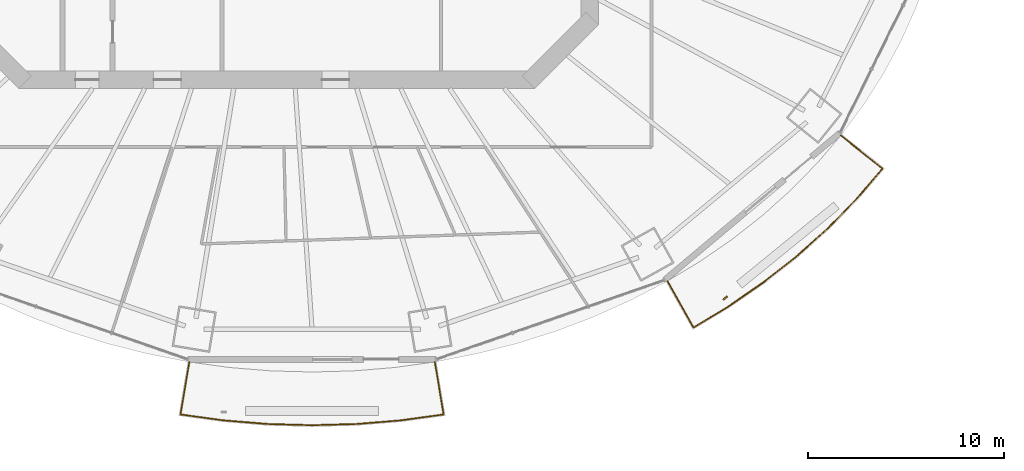
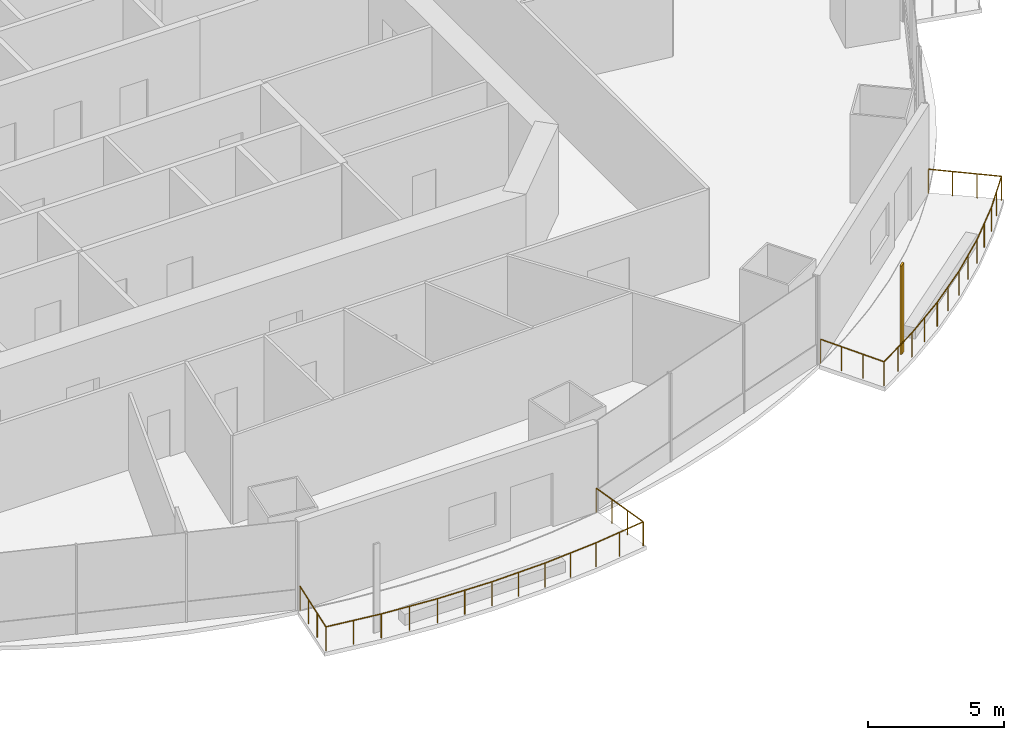
# One storey, part 16 of 20: 2 railings, 1 shading device.
"""IFC4 building model written with IfcOpenShell, lengths in metres."""

from ifc_helpers import new_model, si_unit, direction, frame, origin, origin_2d, place, context, subcontext, project, spatial, rectangle, circle, extrude, material, material_profile, profile_set, type_object, element, save


model = new_model("IFC4")

# Units and contexts
model_context = context("Model", 3, precision=1e-05, world=origin(), true_north=direction((0.0, 1.0)))
body_context = subcontext(model_context, "Body", "Model", "MODEL_VIEW")
ifc_project = project(units=[si_unit("LENGTHUNIT", "METRE"), si_unit("AREAUNIT", "SQUARE_METRE"), si_unit("VOLUMEUNIT", "CUBIC_METRE"), si_unit("PLANEANGLEUNIT", "RADIAN"), si_unit("MASSUNIT", "GRAM", prefix="KILO")], contexts=[model_context])

# Site, building, storey
site_placement = place(None, origin())
site = spatial("IfcSite", under=ifc_project, at=site_placement, CompositionType="ELEMENT")
building_placement = place(site_placement, origin())
building = spatial("IfcBuilding", under=site, at=building_placement, Name="Marenthal Gate Tower", CompositionType="ELEMENT")
storey_placement = place(building_placement, frame((0.0, 0.0, 173.5)))
storey = spatial("IfcBuildingStorey", under=building, at=storey_placement, Name="L37", CompositionType="ELEMENT", Elevation=173.5)

# Railings
ifc_material_1 = material(Name="Stainless steel", Category="steel")
railing_type = type_object("IfcRailingType", Name="Balcony guard 1100", PredefinedType="GUARDRAIL", material=ifc_material_1)
railing_1_placement = place(storey_placement, frame((8.07666015625, -27.433837890625, 0.0)))
element("IfcRailing", 1, at=railing_1_placement, inside=storey, type_object=railing_type, Name="Balcony guard L37 bay 12", PredefinedType="GUARDRAIL", context=body_context, shape_type="SweptSolid", body=[
    extrude(circle(Radius=0.02392578125, at=origin_2d()), frame((0.0, 0.0, 1.076171875), z_axis=(0.164788694753, -0.986219051168, -0.014719687331), x_axis=(0.986325910177, 0.164806549971, 0.0)), (0.0, 0.0, 1.0), 2.72021484375),
    extrude(circle(Radius=0.02392578125, at=origin_2d()), frame((0.4482421875, -2.6826171875, 1.0361328125), z_axis=(-0.990666259572, -0.136309802087, 0.0), x_axis=(0.136309802087, -0.990666259572, 0.0)), (0.0, 0.0, 1.0), 2.194091796875),
    extrude(circle(Radius=0.02392578125, at=origin_2d()), frame((-1.725341796875, -2.981689453125, 1.0361328125), z_axis=(-0.996600946848, -0.082380536185, 0.0), x_axis=(0.082380536185, -0.996600946848, 0.0)), (0.0, 0.0, 1.0), 2.279052734375),
    extrude(circle(Radius=0.02392578125, at=origin_2d()), frame((-3.99658203125, -3.16943359375, 1.0361328125), z_axis=(-0.999621567071, -0.027508592219, 0.0), x_axis=(0.027508592219, -0.999621567071, 0.0)), (0.0, 0.0, 1.0), 2.281005859375),
    extrude(circle(Radius=0.02392578125, at=origin_2d()), frame((-6.276611328125, -3.232177734375, 1.0361328125), z_axis=(-0.999621648056, 0.027505649202, 0.0), x_axis=(-0.027505649202, -0.999621648056, 0.0)), (0.0, 0.0, 1.0), 2.28125),
    extrude(circle(Radius=0.02392578125, at=origin_2d()), frame((-8.556884765625, -3.16943359375, 1.0361328125), z_axis=(-0.996600219709, 0.082389332289, 0.0), x_axis=(-0.082389332289, -0.996600219709, 0.0)), (0.0, 0.0, 1.0), 2.27880859375),
    extrude(circle(Radius=0.02392578125, at=origin_2d()), frame((-10.827880859375, -2.981689453125, 1.0361328125), z_axis=(-0.990666259572, 0.136309802087, 0.0), x_axis=(-0.136309802087, -0.990666259572, 0.0)), (0.0, 0.0, 1.0), 2.194091796875),
    extrude(circle(Radius=0.02392578125, at=origin_2d()), frame((-13.00146484375, -2.6826171875, 1.0361328125), z_axis=(0.164788694753, 0.986219051168, 0.014719687331), x_axis=(-0.986325910177, 0.164806549971, 0.0)), (0.0, 0.0, 1.0), 2.72021484375),
    extrude(circle(Radius=0.02099609375, at=origin_2d()), origin(), (0.0, 0.0, 1.0), 1.052001953125),
    extrude(circle(Radius=0.02099609375, at=origin_2d()), frame((0.1494140625, -0.894287109375, -0.013427734375)), (0.0, 0.0, 1.0), 1.052001953125),
    extrude(circle(Radius=0.02099609375, at=origin_2d()), frame((0.298828125, -1.788330078125, -0.026611328125)), (0.0, 0.0, 1.0), 1.052001953125),
    extrude(circle(Radius=0.02099609375, at=origin_2d()), frame((0.4482421875, -2.6826171875, -0.0400390625)), (0.0, 0.0, 1.0), 1.052001953125),
    extrude(circle(Radius=0.02099609375, at=origin_2d()), frame((-0.638671875, -2.83203125, -0.0400390625)), (0.0, 0.0, 1.0), 1.052001953125),
    extrude(circle(Radius=0.02099609375, at=origin_2d()), frame((-1.725341796875, -2.981689453125, -0.0400390625)), (0.0, 0.0, 1.0), 1.052001953125),
    extrude(circle(Radius=0.02099609375, at=origin_2d()), frame((-2.86083984375, -3.07568359375, -0.0400390625)), (0.0, 0.0, 1.0), 1.052001953125),
    extrude(circle(Radius=0.02099609375, at=origin_2d()), frame((-3.99658203125, -3.16943359375, -0.0400390625)), (0.0, 0.0, 1.0), 1.052001953125),
    extrude(circle(Radius=0.02099609375, at=origin_2d()), frame((-5.13671875, -3.20068359375, -0.0400390625)), (0.0, 0.0, 1.0), 1.052001953125),
    extrude(circle(Radius=0.02099609375, at=origin_2d()), frame((-6.276611328125, -3.232177734375, -0.0400390625)), (0.0, 0.0, 1.0), 1.052001953125),
    extrude(circle(Radius=0.02099609375, at=origin_2d()), frame((-7.416748046875, -3.20068359375, -0.0400390625)), (0.0, 0.0, 1.0), 1.052001953125),
    extrude(circle(Radius=0.02099609375, at=origin_2d()), frame((-8.556884765625, -3.16943359375, -0.0400390625)), (0.0, 0.0, 1.0), 1.052001953125),
    extrude(circle(Radius=0.02099609375, at=origin_2d()), frame((-9.6923828125, -3.07568359375, -0.0400390625)), (0.0, 0.0, 1.0), 1.052001953125),
    extrude(circle(Radius=0.02099609375, at=origin_2d()), frame((-10.827880859375, -2.981689453125, -0.0400390625)), (0.0, 0.0, 1.0), 1.052001953125),
    extrude(circle(Radius=0.02099609375, at=origin_2d()), frame((-11.91455078125, -2.83203125, -0.0400390625)), (0.0, 0.0, 1.0), 1.052001953125),
    extrude(circle(Radius=0.02099609375, at=origin_2d()), frame((-13.00146484375, -2.6826171875, -0.0400390625)), (0.0, 0.0, 1.0), 1.052001953125),
    extrude(circle(Radius=0.02099609375, at=origin_2d()), frame((-12.85205078125, -1.788330078125, -0.026611328125)), (0.0, 0.0, 1.0), 1.052001953125),
    extrude(circle(Radius=0.02099609375, at=origin_2d()), frame((-12.70263671875, -0.894287109375, -0.013427734375)), (0.0, 0.0, 1.0), 1.052001953125),
    extrude(circle(Radius=0.02099609375, at=origin_2d()), frame((-12.55322265625, 0.0, 0.0)), (0.0, 0.0, 1.0), 1.052001953125),
])
railing_2_placement = place(storey_placement, frame((28.8369140625, -15.855224609375, 0.0)))
element("IfcRailing", 2, at=railing_2_placement, inside=storey, type_object=railing_type, Name="Balcony guard L37 bay 14", PredefinedType="GUARDRAIL", context=body_context, shape_type="SweptSolid", body=[
    extrude(circle(Radius=0.02392578125, at=origin_2d()), frame((0.0, 0.0, 1.076171875), z_axis=(0.782619614183, -0.622326193205, -0.014718992744), x_axis=(0.622393617256, 0.78270440474, 0.0)), (0.0, 0.0, 1.0), 2.72021484375),
    extrude(circle(Radius=0.02392578125, at=origin_2d()), frame((2.12890625, -1.69287109375, 1.0361328125), z_axis=(-0.650183496944, -0.759777217546, 0.0), x_axis=(0.759777217546, -0.650183496944, 0.0)), (0.0, 0.0, 1.0), 2.018310546875),
    extrude(circle(Radius=0.02392578125, at=origin_2d()), frame((0.816650390625, -3.226318359375, 1.0361328125), z_axis=(-0.699042916959, -0.715079716011, 0.0), x_axis=(0.715079716011, -0.699042916959, 0.0)), (0.0, 0.0, 1.0), 2.1162109375),
    extrude(circle(Radius=0.02392578125, at=origin_2d()), frame((-0.66259765625, -4.739501953125, 1.0361328125), z_axis=(-0.74466355171, -0.66744003083, 0.0), x_axis=(0.66744003083, -0.74466355171, 0.0)), (0.0, 0.0, 1.0), 2.134033203125),
    extrude(circle(Radius=0.02392578125, at=origin_2d()), frame((-2.251708984375, -6.163818359375, 1.0361328125), z_axis=(-0.786129411557, -0.618061929167, 0.0), x_axis=(0.618061929167, -0.786129411557, 0.0)), (0.0, 0.0, 1.0), 2.15283203125),
    extrude(circle(Radius=0.02392578125, at=origin_2d()), frame((-3.944091796875, -7.494384765625, 1.0361328125), z_axis=(-0.823473734687, -0.567354393903, 0.0), x_axis=(0.567354393903, -0.823473734687, 0.0)), (0.0, 0.0, 1.0), 2.17041015625),
    extrude(circle(Radius=0.02392578125, at=origin_2d()), frame((-5.7314453125, -8.725830078125, 1.0361328125), z_axis=(-0.856264483042, -0.516537641494, 0.0), x_axis=(0.516537641494, -0.856264483042, 0.0)), (0.0, 0.0, 1.0), 2.1083984375),
    extrude(circle(Radius=0.02392578125, at=origin_2d()), frame((-7.536865234375, -9.81494140625, 1.0361328125), z_axis=(-0.489479334585, 0.871890673908, 0.014718483842), x_axis=(-0.871985129735, -0.489532362077, 0.0)), (0.0, 0.0, 1.0), 2.72021484375),
    extrude(circle(Radius=0.02099609375, at=origin_2d()), origin(), (0.0, 0.0, 1.0), 1.052001953125),
    extrude(circle(Radius=0.02099609375, at=origin_2d()), frame((0.709716796875, -0.564208984375, -0.013427734375)), (0.0, 0.0, 1.0), 1.052001953125),
    extrude(circle(Radius=0.02099609375, at=origin_2d()), frame((1.419189453125, -1.128662109375, -0.026611328125)), (0.0, 0.0, 1.0), 1.052001953125),
    extrude(circle(Radius=0.02099609375, at=origin_2d()), frame((2.12890625, -1.69287109375, -0.0400390625)), (0.0, 0.0, 1.0), 1.052001953125),
    extrude(circle(Radius=0.02099609375, at=origin_2d()), frame((1.47265625, -2.45947265625, -0.0400390625)), (0.0, 0.0, 1.0), 1.052001953125),
    extrude(circle(Radius=0.02099609375, at=origin_2d()), frame((0.816650390625, -3.226318359375, -0.0400390625)), (0.0, 0.0, 1.0), 1.052001953125),
    extrude(circle(Radius=0.02099609375, at=origin_2d()), frame((0.0771484375, -3.98291015625, -0.0400390625)), (0.0, 0.0, 1.0), 1.052001953125),
    extrude(circle(Radius=0.02099609375, at=origin_2d()), frame((-0.66259765625, -4.739501953125, -0.0400390625)), (0.0, 0.0, 1.0), 1.052001953125),
    extrude(circle(Radius=0.02099609375, at=origin_2d()), frame((-1.45703125, -5.45166015625, -0.0400390625)), (0.0, 0.0, 1.0), 1.052001953125),
    extrude(circle(Radius=0.02099609375, at=origin_2d()), frame((-2.251708984375, -6.163818359375, -0.0400390625)), (0.0, 0.0, 1.0), 1.052001953125),
    extrude(circle(Radius=0.02099609375, at=origin_2d()), frame((-3.097900390625, -6.8291015625, -0.0400390625)), (0.0, 0.0, 1.0), 1.052001953125),
    extrude(circle(Radius=0.02099609375, at=origin_2d()), frame((-3.944091796875, -7.494384765625, -0.0400390625)), (0.0, 0.0, 1.0), 1.052001953125),
    extrude(circle(Radius=0.02099609375, at=origin_2d()), frame((-4.837890625, -8.110107421875, -0.0400390625)), (0.0, 0.0, 1.0), 1.052001953125),
    extrude(circle(Radius=0.02099609375, at=origin_2d()), frame((-5.7314453125, -8.725830078125, -0.0400390625)), (0.0, 0.0, 1.0), 1.052001953125),
    extrude(circle(Radius=0.02099609375, at=origin_2d()), frame((-6.63427734375, -9.2705078125, -0.0400390625)), (0.0, 0.0, 1.0), 1.052001953125),
    extrude(circle(Radius=0.02099609375, at=origin_2d()), frame((-7.536865234375, -9.81494140625, -0.0400390625)), (0.0, 0.0, 1.0), 1.052001953125),
    extrude(circle(Radius=0.02099609375, at=origin_2d()), frame((-7.980712890625, -9.0244140625, -0.026611328125)), (0.0, 0.0, 1.0), 1.052001953125),
    extrude(circle(Radius=0.02099609375, at=origin_2d()), frame((-8.424560546875, -8.233642578125, -0.013427734375)), (0.0, 0.0, 1.0), 1.052001953125),
    extrude(circle(Radius=0.02099609375, at=origin_2d()), frame((-8.868408203125, -7.443115234375, 0.0)), (0.0, 0.0, 1.0), 1.052001953125),
])

# Shading device
ifc_material_2 = material(Name="Terracotta", Category="masonry")
ifc_material_profile = material_profile(ifc_material_2, rectangle(XDim=0.25, YDim=0.080078125, at=origin_2d()), Name="Terracotta baguette 250x80")
ifc_profile_set = profile_set([ifc_material_profile], Name="Terracotta")
shading_device_type = type_object("IfcShadingDeviceType", Name="Terracotta BAGUETTE SCREEN 250x80", PredefinedType="USERDEFINED", material=ifc_profile_set)
shading_device_placement = place(storey_placement, frame((22.927734375, -24.16455078125, -0.0400390625), z_axis=(0.0, 0.0, 1.0), x_axis=(0.765850387542, 0.643018805247, 0.0)))
element("IfcShadingDevice", 3, at=shading_device_placement, inside=storey, type_object=shading_device_type, Name="Terracotta BAGUETTE L37 bay 14L", ObjectType="BAGUETTE SCREEN", PredefinedType="USERDEFINED", context=body_context, shape_type="SweptSolid", body=[
    extrude(rectangle(XDim=0.25, YDim=0.080078125, at=origin_2d()), origin(), (0.0, 0.0, 1.0), 3.969970703125),
])

save(model, "model.ifc")
